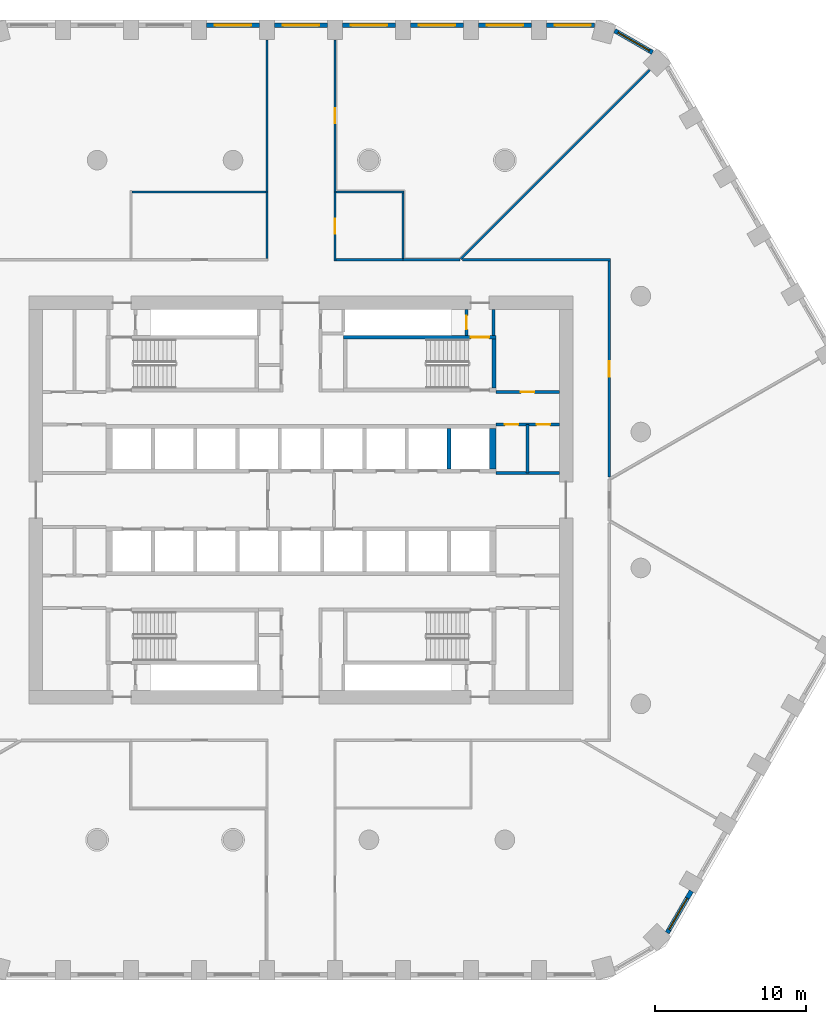
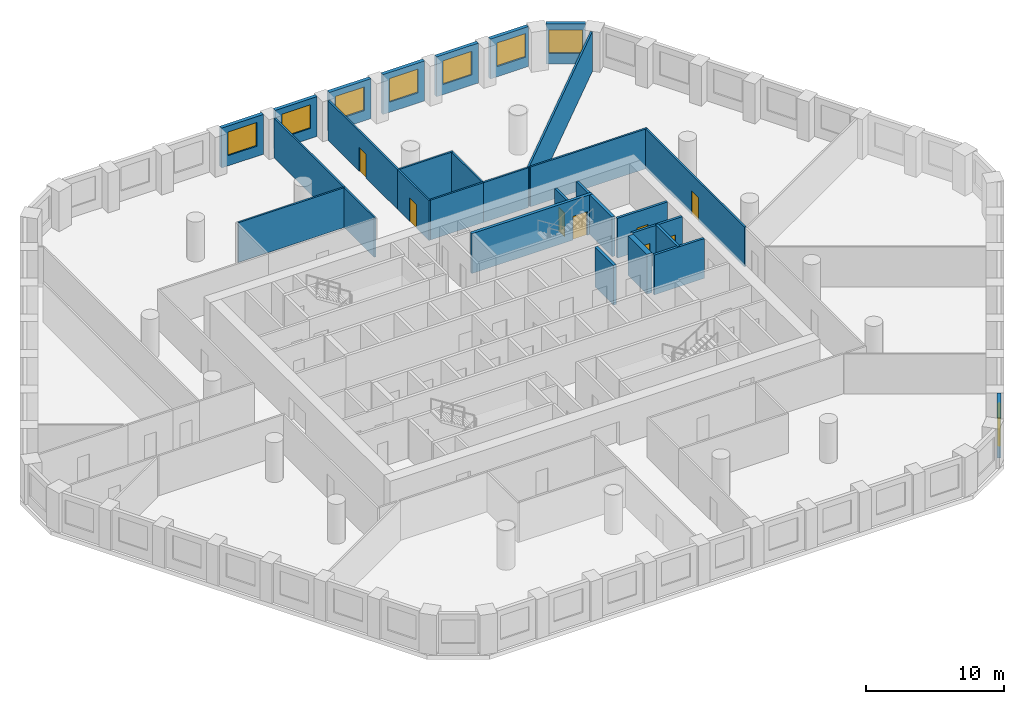
# One storey, part 7 of 14: 30 walls, 8 doors, 8 windows, 16 openings.
"""IFC4 building model written with IfcOpenShell, lengths in metres."""

import ifcopenshell
import ifcopenshell.guid

model = None  # the IFC model being written
_history = None  # IfcOwnerHistory: only IFC2X3 demands one
_inside = {}  # id of a spatial element -> (the spatial element, [elements in it])
_under = {}  # id of a project, library or spatial element -> (it, [spatial elements below it])
_declared = {}  # id of a project -> (the project, [libraries it declares])
_typed = {}  # id of a type object -> (the type object, [elements of that type])
_made_of = {}  # id of a material, layer set ... -> (it, [elements and type objects made of it])


def new_model(schema):
    """Start an empty IFC model of exactly this schema.

    Asked for "IFC4X3", IfcOpenShell would pick the latest addendum, in which some entities
    have other attributes; the version numbers below select the first issue.
    IFC2X3 requires an IfcOwnerHistory on every rooted entity: one is made here for all.
    """
    global model, _history
    if schema == "IFC4X3":
        model = ifcopenshell.file(schema_version=(4, 3, 0, 0))
    else:
        model = ifcopenshell.file(schema=schema)
    _inside.clear()
    _under.clear()
    _declared.clear()
    _typed.clear()
    _made_of.clear()
    _history = None
    if model.schema == "IFC2X3":
        org = make("IfcOrganization", Name="unknown")
        user = make(
            "IfcPersonAndOrganization",
            ThePerson=make("IfcPerson", FamilyName="unknown"),
            TheOrganization=org,
        )
        app = make(
            "IfcApplication",
            ApplicationDeveloper=org,
            Version="unknown",
            ApplicationFullName="unknown",
            ApplicationIdentifier="unknown",
        )
        _history = make(
            "IfcOwnerHistory",
            OwningUser=user,
            OwningApplication=app,
            ChangeAction="ADDED",
            CreationDate=0,
        )
    return model


def make(cls, **values):
    """One entity of the class cls with the attributes given. An attribute that is None is left unset."""
    return model.create_entity(
        cls, **{name: value for name, value in values.items() if value is not None}
    )


def rooted(cls, **values):
    """An entity with a GlobalId (a new one), such as an element, a storey or a relation."""
    return make(cls, GlobalId=ifcopenshell.guid.new(), OwnerHistory=_history, **values)


def si_unit(unit_type, name, prefix=None):
    """IfcSIUnit, for example si_unit("LENGTHUNIT", "METRE", prefix="MILLI")."""
    return make("IfcSIUnit", UnitType=unit_type, Prefix=prefix, Name=name)


def assignment(units):
    """IfcUnitAssignment: the units of a project."""
    return None if units is None else make("IfcUnitAssignment", Units=units)


def point(xyz):
    """IfcCartesianPoint."""
    return None if xyz is None else make("IfcCartesianPoint", Coordinates=xyz)


def direction(xyz):
    """IfcDirection."""
    return None if xyz is None else make("IfcDirection", DirectionRatios=xyz)


def frame(location, z_axis=None, x_axis=None):
    """IfcAxis2Placement3D, a coordinate frame: its origin and axes. An axis left out is left unset."""
    return make(
        "IfcAxis2Placement3D",
        Location=point(location),
        Axis=direction(z_axis),
        RefDirection=direction(x_axis),
    )


def frame_2d(location, x_axis=None):
    """IfcAxis2Placement2D, a coordinate frame in the plane: its origin and x axis."""
    return make(
        "IfcAxis2Placement2D", Location=point(location), RefDirection=direction(x_axis)
    )


def origin():
    """The frame at (0, 0, 0) with its axes left unset."""
    return frame((0.0, 0.0, 0.0))


def place(relative_to, where):
    """IfcLocalPlacement: puts the frame where relative to a parent placement (None: the world)."""
    return make(
        "IfcLocalPlacement", PlacementRelTo=relative_to, RelativePlacement=where
    )


def context(
    kind, dimensions, precision=None, world=None, true_north=None, identifier=None
):
    """IfcGeometricRepresentationContext, for example the 3D "Model" context."""
    return make(
        "IfcGeometricRepresentationContext",
        ContextIdentifier=identifier,
        ContextType=kind,
        CoordinateSpaceDimension=dimensions,
        Precision=precision,
        WorldCoordinateSystem=world,
        TrueNorth=true_north,
    )


def subcontext(parent, identifier, kind, view, scale=None):
    """IfcGeometricRepresentationSubContext, for example "Body" below "Model"."""
    return make(
        "IfcGeometricRepresentationSubContext",
        ContextIdentifier=identifier,
        ContextType=kind,
        ParentContext=parent,
        TargetScale=scale,
        TargetView=view,
    )


def project(units=None, contexts=None):
    """IfcProject with its units and contexts."""
    return rooted(
        "IfcProject",
        Name="project",
        RepresentationContexts=contexts,
        UnitsInContext=assignment(units),
    )


def spatial(cls, under=None, at=None, **own):
    """A site, building, storey or space (cls), placed at a placement, below another one or the project."""
    s = rooted(cls, ObjectPlacement=at, **own)
    if under is not None:
        _under.setdefault(under.id(), (under, []))[1].append(s)
    return s


def polyline(points):
    """IfcPolyline through the points."""
    return make("IfcPolyline", Points=[point(p) for p in points])


def profile(cls, at=None, kind="AREA", **sizes):
    """A parametric profile (cls). Its sizes go by their IFC names, for example OverallWidth=200.0."""
    return make(cls, ProfileType=kind, Position=at, **sizes)


def rectangle(**sizes):
    """IfcRectangleProfileDef."""
    return profile("IfcRectangleProfileDef", **sizes)


def outline(outer, holes=None, kind="AREA"):
    """IfcArbitraryClosedProfileDef: a profile drawn as a closed curve; with holes, ...WithVoids."""
    if holes is None:
        return make("IfcArbitraryClosedProfileDef", ProfileType=kind, OuterCurve=outer)
    return make(
        "IfcArbitraryProfileDefWithVoids",
        ProfileType=kind,
        OuterCurve=outer,
        InnerCurves=holes,
    )


def extrude(swept, where, along, depth):
    """IfcExtrudedAreaSolid: the profile swept, set in the frame where, extruded along a direction by depth."""
    return make(
        "IfcExtrudedAreaSolid",
        SweptArea=swept,
        Position=where,
        ExtrudedDirection=direction(along),
        Depth=depth,
    )


def shape(context_of_items, identifier, shape_type, items):
    """IfcShapeRepresentation: the items that make up one representation, for example the "Body"."""
    return make(
        "IfcShapeRepresentation",
        ContextOfItems=context_of_items,
        RepresentationIdentifier=identifier,
        RepresentationType=shape_type,
        Items=items,
    )


def material(Name=None, Category=None):
    """IfcMaterial."""
    return make("IfcMaterial", Name=Name, Category=Category)


def layer(
    of_material, thickness, ventilated=None, Name=None, Category=None, Priority=None
):
    """IfcMaterialLayer: one layer of a wall or slab, of a material (None: an air gap)."""
    return make(
        "IfcMaterialLayer",
        Material=of_material,
        LayerThickness=thickness,
        IsVentilated=ventilated,
        Name=Name,
        Category=Category,
        Priority=Priority,
    )


def layer_set(layers, Name=None):
    """IfcMaterialLayerSet."""
    return make("IfcMaterialLayerSet", MaterialLayers=layers, LayerSetName=Name)


def made_of(thing, what):
    """Note that an element or type object is made of a material, layer set ...; save() writes the relation."""
    if what is not None:
        _made_of.setdefault(what.id(), (what, []))[1].append(thing)
    return thing


def type_object(cls, material=None, **own):
    """A type object (cls), such as IfcWallType, which elements share."""
    return made_of(rooted(cls, **own), material)


def element(
    cls,
    number,
    at=None,
    inside=None,
    cuts=None,
    type_object=None,
    material=None,
    context=None,
    identifier="Body",
    shape_type=None,
    held_by="IfcProductDefinitionShape",
    body=None,
    shapes=None,
    **own,
):
    """One element of the class cls, such as IfcWall. Its Tag is "e" and its number.

    at: its placement. inside: the storey or other place that contains it. cuts: it is an
    opening in that element (IfcRelVoidsElement). A single representation is given by context,
    identifier, shape_type and body (its items); several are given by shapes. held_by: the class
    of the entity that holds the representations. save() writes the other relations.
    """
    e = rooted(cls, Tag="e%d" % number, ObjectPlacement=at, **own)
    if body is not None:
        shapes = [shape(context, identifier, shape_type, body)]
    if shapes is not None:
        e.Representation = make(held_by, Representations=shapes)
    if inside is not None:
        _inside.setdefault(inside.id(), (inside, []))[1].append(e)
    if cuts is not None:
        rooted(
            "IfcRelVoidsElement", RelatingBuildingElement=cuts, RelatedOpeningElement=e
        )
    if type_object is not None:
        _typed.setdefault(type_object.id(), (type_object, []))[1].append(e)
    return made_of(e, material)


def fill(opening, filler):
    """IfcRelFillsElement: the door or window that sits in an opening."""
    return rooted(
        "IfcRelFillsElement",
        RelatingOpeningElement=opening,
        RelatedBuildingElement=filler,
    )


def aggregate(whole, parts):
    """IfcRelAggregates: a whole, such as a stair, and the parts it consists of."""
    return rooted("IfcRelAggregates", RelatingObject=whole, RelatedObjects=parts)


def save(model, path):
    """Write the relations noted so far, then the file.

    IfcRelAggregates (storeys below a building ...), IfcRelContainedInSpatialStructure (elements
    in a storey), IfcRelDefinesByType, IfcRelAssociatesMaterial and IfcRelDeclares: one each for
    every whole, place, type object, material and project.
    """
    for whole, parts in _under.values():
        aggregate(whole, parts)
    for where, things in _inside.values():
        rooted(
            "IfcRelContainedInSpatialStructure",
            RelatedElements=things,
            RelatingStructure=where,
        )
    for kind, things in _typed.values():
        rooted("IfcRelDefinesByType", RelatedObjects=things, RelatingType=kind)
    for what, things in _made_of.values():
        rooted("IfcRelAssociatesMaterial", RelatedObjects=things, RelatingMaterial=what)
    for by, libraries in _declared.values():
        rooted("IfcRelDeclares", RelatingContext=by, RelatedDefinitions=libraries)
    model.write(path)


model = new_model("IFC4")

# Units and contexts
model_context = context("Model", 3, precision=1e-05, world=origin(), true_north=direction((0.0, 1.0)))
body_context = subcontext(model_context, "Body", "Model", "MODEL_VIEW")
ifc_project = project(units=[si_unit("LENGTHUNIT", "METRE"), si_unit("AREAUNIT", "SQUARE_METRE"), si_unit("VOLUMEUNIT", "CUBIC_METRE"), si_unit("PLANEANGLEUNIT", "RADIAN"), si_unit("MASSUNIT", "GRAM", prefix="KILO")], contexts=[model_context])

# Site, building, storey
site_placement = place(None, origin())
site = spatial("IfcSite", under=ifc_project, at=site_placement, CompositionType="ELEMENT")
building_placement = place(site_placement, origin())
building = spatial("IfcBuilding", under=site, at=building_placement, Name="Dhurran Vertical Campus", CompositionType="ELEMENT")
storey_placement = place(building_placement, frame((0.0, 0.0, 93.0)))
storey = spatial("IfcBuildingStorey", under=building, at=storey_placement, Name="L22", CompositionType="ELEMENT", Elevation=93.0)

# Wall, opening, window
ifc_material_1 = material(Name="Precast concrete C50/60", Category="concrete")
ifc_layer_1 = layer(ifc_material_1, 0.300048828125)
ifc_layer_set_1 = layer_set([ifc_layer_1], Name="Precast concrete C50/60")
wall_type_1 = type_object("IfcWallType", Name="Precast spandrel wall 300", PredefinedType="SOLIDWALL", material=ifc_layer_set_1)
wall_1_placement = place(storey_placement, frame((24.24755859375, -28.65576171875, 0.0), z_axis=(0.0, 0.0, 1.0), x_axis=(0.500004907028, 0.866022570692, 0.0)))
wall_1 = element("IfcWall", 1, at=wall_1_placement, inside=storey, type_object=wall_type_1, Name="EW1 L22.10", PredefinedType="SOLIDWALL", context=body_context, shape_type="SweptSolid", body=[
    extrude(rectangle(XDim=3.1923828125, YDim=0.300048828125, at=frame_2d((1.59619140625, 0.0))), origin(), (0.0, 0.0, 1.0), 3.52490234375),
])
opening_1_placement = place(wall_1_placement, frame((0.242919921875, 0.0, 0.89990234375)))
opening_1 = element("IfcOpeningElement", 2, at=opening_1_placement, cuts=wall_1, Name="Opening WT1", PredefinedType="OPENING", context=body_context, shape_type="SweptSolid", body=[
    extrude(rectangle(XDim=2.39990234375, YDim=2.10009765625, at=frame_2d((1.199951171875, 1.050048828125))), frame((0.0, 0.159912109375, 0.0), z_axis=(0.0, -1.0, 0.0), x_axis=(1.0, 0.0, 0.0)), (0.0, 0.0, 1.0), 0.320068359375),
])
ifc_material_2 = material(Name="Aluminium frame with solar-control glass", Category="aluminium")
window_type = type_object("IfcWindowType", Name="Punched window 2400 x 2100", PartitioningType="SINGLE_PANEL", PredefinedType="WINDOW", material=ifc_material_2)
window_1_placement = place(opening_1_placement, origin())
window_1 = element("IfcWindow", 3, at=window_1_placement, inside=storey, type_object=window_type, Name="WT1 L22.10", OverallHeight=2.10009765625, OverallWidth=2.39990234375, PartitioningType="SINGLE_PANEL", PredefinedType="WINDOW", context=body_context, shape_type="SweptSolid", body=[
    extrude(rectangle(XDim=2.39990234375, YDim=2.10009765625, at=frame_2d((1.199951171875, 1.050048828125))), frame((0.0, 0.030029296875, 0.0), z_axis=(0.0, -1.0, 0.0), x_axis=(1.0, 0.0, 0.0)), (0.0, 0.0, 1.0), 0.06005859375),
])
fill(opening_1, window_1)

wall_2_placement = place(storey_placement, frame((23.273193359375, 29.63037109375, 0.0), z_axis=(0.0, 0.0, 1.0), x_axis=(-0.866053149362, 0.49995194017, 0.0)))
wall_2 = element("IfcWall", 4, at=wall_2_placement, inside=storey, type_object=wall_type_1, Name="EW1 L22.25", PredefinedType="SOLIDWALL", context=body_context, shape_type="SweptSolid", body=[
    extrude(rectangle(XDim=2.885498046875, YDim=0.300048828125, at=frame_2d((1.44287109375, 0.0))), origin(), (0.0, 0.0, 1.0), 3.52490234375),
])
opening_2_placement = place(wall_2_placement, frame((0.242919921875, 0.0, 0.89990234375)))
opening_2 = element("IfcOpeningElement", 5, at=opening_2_placement, cuts=wall_2, Name="Opening WT1", PredefinedType="OPENING", context=body_context, shape_type="SweptSolid", body=[
    extrude(rectangle(XDim=2.39990234375, YDim=2.10009765625, at=frame_2d((1.199951171875, 1.050048828125))), frame((0.0, 0.159912109375, 0.0), z_axis=(0.0, -1.0, 0.0), x_axis=(1.0, 0.0, 0.0)), (0.0, 0.0, 1.0), 0.320068359375),
])
window_2_placement = place(opening_2_placement, origin())
window_2 = element("IfcWindow", 6, at=window_2_placement, inside=storey, type_object=window_type, Name="WT1 L22.25", OverallHeight=2.10009765625, OverallWidth=2.39990234375, PartitioningType="SINGLE_PANEL", PredefinedType="WINDOW", context=body_context, shape_type="SweptSolid", body=[
    extrude(rectangle(XDim=2.39990234375, YDim=2.10009765625, at=frame_2d((1.199951171875, 1.050048828125))), frame((0.0, 0.030029296875, 0.0), z_axis=(0.0, -1.0, 0.0), x_axis=(1.0, 0.0, 0.0)), (0.0, 0.0, 1.0), 0.06005859375),
])
fill(opening_2, window_2)

wall_3_placement = place(storey_placement, frame((19.44287109375, 31.4296875, 0.0), z_axis=(0.0, 0.0, 1.0), x_axis=(-1.0, 0.0, 0.0)))
wall_3 = element("IfcWall", 7, at=wall_3_placement, inside=storey, type_object=wall_type_1, Name="EW1 L22.26", PredefinedType="SOLIDWALL", context=body_context, shape_type="SweptSolid", body=[
    extrude(rectangle(XDim=3.1923828125, YDim=0.300048828125, at=frame_2d((1.59619140625, 0.0))), origin(), (0.0, 0.0, 1.0), 3.52490234375),
])
opening_3_placement = place(wall_3_placement, frame((0.242919921875, 0.0, 0.89990234375)))
opening_3 = element("IfcOpeningElement", 8, at=opening_3_placement, cuts=wall_3, Name="Opening WT1", PredefinedType="OPENING", context=body_context, shape_type="SweptSolid", body=[
    extrude(rectangle(XDim=2.39990234375, YDim=2.10009765625, at=frame_2d((1.199951171875, 1.050048828125))), frame((0.0, 0.159912109375, 0.0), z_axis=(0.0, -1.0, 0.0), x_axis=(1.0, 0.0, 0.0)), (0.0, 0.0, 1.0), 0.320068359375),
])
window_3_placement = place(opening_3_placement, origin())
window_3 = element("IfcWindow", 9, at=window_3_placement, inside=storey, type_object=window_type, Name="WT1 L22.26", OverallHeight=2.10009765625, OverallWidth=2.39990234375, PartitioningType="SINGLE_PANEL", PredefinedType="WINDOW", context=body_context, shape_type="SweptSolid", body=[
    extrude(rectangle(XDim=2.39990234375, YDim=2.10009765625, at=frame_2d((1.199951171875, 1.050048828125))), frame((0.0, 0.030029296875, 0.0), z_axis=(0.0, -1.0, 0.0), x_axis=(1.0, 0.0, 0.0)), (0.0, 0.0, 1.0), 0.06005859375),
])
fill(opening_3, window_3)

wall_4_placement = place(storey_placement, frame((15.24951171875, 31.4296875, 0.0), z_axis=(0.0, 0.0, 1.0), x_axis=(-1.0, 0.0, 0.0)))
wall_4 = element("IfcWall", 10, at=wall_4_placement, inside=storey, type_object=wall_type_1, Name="EW1 L22.27", PredefinedType="SOLIDWALL", context=body_context, shape_type="SweptSolid", body=[
    extrude(rectangle(XDim=3.4990234375, YDim=0.300048828125, at=frame_2d((1.74951171875, 0.0))), origin(), (0.0, 0.0, 1.0), 3.52490234375),
])
opening_4_placement = place(wall_4_placement, frame((0.549560546875, 0.0, 0.89990234375)))
opening_4 = element("IfcOpeningElement", 11, at=opening_4_placement, cuts=wall_4, Name="Opening WT1", PredefinedType="OPENING", context=body_context, shape_type="SweptSolid", body=[
    extrude(rectangle(XDim=2.39990234375, YDim=2.10009765625, at=frame_2d((1.199951171875, 1.050048828125))), frame((0.0, 0.159912109375, 0.0), z_axis=(0.0, -1.0, 0.0), x_axis=(1.0, 0.0, 0.0)), (0.0, 0.0, 1.0), 0.320068359375),
])
window_4_placement = place(opening_4_placement, origin())
window_4 = element("IfcWindow", 12, at=window_4_placement, inside=storey, type_object=window_type, Name="WT1 L22.27", OverallHeight=2.10009765625, OverallWidth=2.39990234375, PartitioningType="SINGLE_PANEL", PredefinedType="WINDOW", context=body_context, shape_type="SweptSolid", body=[
    extrude(rectangle(XDim=2.39990234375, YDim=2.10009765625, at=frame_2d((1.199951171875, 1.050048828125))), frame((0.0, 0.030029296875, 0.0), z_axis=(0.0, -1.0, 0.0), x_axis=(1.0, 0.0, 0.0)), (0.0, 0.0, 1.0), 0.06005859375),
])
fill(opening_4, window_4)

wall_5_placement = place(storey_placement, frame((10.74951171875, 31.4296875, 0.0), z_axis=(0.0, 0.0, 1.0), x_axis=(-1.0, 0.0, 0.0)))
wall_5 = element("IfcWall", 13, at=wall_5_placement, inside=storey, type_object=wall_type_1, Name="EW1 L22.28", PredefinedType="SOLIDWALL", context=body_context, shape_type="SweptSolid", body=[
    extrude(rectangle(XDim=3.4990234375, YDim=0.300048828125, at=frame_2d((1.74951171875, 0.0))), origin(), (0.0, 0.0, 1.0), 3.52490234375),
])
opening_5_placement = place(wall_5_placement, frame((0.549560546875, 0.0, 0.89990234375)))
opening_5 = element("IfcOpeningElement", 14, at=opening_5_placement, cuts=wall_5, Name="Opening WT1", PredefinedType="OPENING", context=body_context, shape_type="SweptSolid", body=[
    extrude(rectangle(XDim=2.39990234375, YDim=2.10009765625, at=frame_2d((1.199951171875, 1.050048828125))), frame((0.0, 0.159912109375, 0.0), z_axis=(0.0, -1.0, 0.0), x_axis=(1.0, 0.0, 0.0)), (0.0, 0.0, 1.0), 0.320068359375),
])
window_5_placement = place(opening_5_placement, origin())
window_5 = element("IfcWindow", 15, at=window_5_placement, inside=storey, type_object=window_type, Name="WT1 L22.28", OverallHeight=2.10009765625, OverallWidth=2.39990234375, PartitioningType="SINGLE_PANEL", PredefinedType="WINDOW", context=body_context, shape_type="SweptSolid", body=[
    extrude(rectangle(XDim=2.39990234375, YDim=2.10009765625, at=frame_2d((1.199951171875, 1.050048828125))), frame((0.0, 0.030029296875, 0.0), z_axis=(0.0, -1.0, 0.0), x_axis=(1.0, 0.0, 0.0)), (0.0, 0.0, 1.0), 0.06005859375),
])
fill(opening_5, window_5)

wall_6_placement = place(storey_placement, frame((6.24951171875, 31.4296875, 0.0), z_axis=(0.0, 0.0, 1.0), x_axis=(-1.0, 0.0, 0.0)))
wall_6 = element("IfcWall", 16, at=wall_6_placement, inside=storey, type_object=wall_type_1, Name="EW1 L22.29", PredefinedType="SOLIDWALL", context=body_context, shape_type="SweptSolid", body=[
    extrude(rectangle(XDim=3.4990234375, YDim=0.300048828125, at=frame_2d((1.74951171875, 0.0))), origin(), (0.0, 0.0, 1.0), 3.52490234375),
])
opening_6_placement = place(wall_6_placement, frame((0.549560546875, 0.0, 0.89990234375)))
opening_6 = element("IfcOpeningElement", 17, at=opening_6_placement, cuts=wall_6, Name="Opening WT1", PredefinedType="OPENING", context=body_context, shape_type="SweptSolid", body=[
    extrude(rectangle(XDim=2.39990234375, YDim=2.10009765625, at=frame_2d((1.199951171875, 1.050048828125))), frame((0.0, 0.159912109375, 0.0), z_axis=(0.0, -1.0, 0.0), x_axis=(1.0, 0.0, 0.0)), (0.0, 0.0, 1.0), 0.320068359375),
])
window_6_placement = place(opening_6_placement, origin())
window_6 = element("IfcWindow", 18, at=window_6_placement, inside=storey, type_object=window_type, Name="WT1 L22.29", OverallHeight=2.10009765625, OverallWidth=2.39990234375, PartitioningType="SINGLE_PANEL", PredefinedType="WINDOW", context=body_context, shape_type="SweptSolid", body=[
    extrude(rectangle(XDim=2.39990234375, YDim=2.10009765625, at=frame_2d((1.199951171875, 1.050048828125))), frame((0.0, 0.030029296875, 0.0), z_axis=(0.0, -1.0, 0.0), x_axis=(1.0, 0.0, 0.0)), (0.0, 0.0, 1.0), 0.06005859375),
])
fill(opening_6, window_6)

wall_7_placement = place(storey_placement, frame((1.74951171875, 31.4296875, 0.0), z_axis=(0.0, 0.0, 1.0), x_axis=(-1.0, 0.0, 0.0)))
wall_7 = element("IfcWall", 19, at=wall_7_placement, inside=storey, type_object=wall_type_1, Name="EW1 L22.30", PredefinedType="SOLIDWALL", context=body_context, shape_type="SweptSolid", body=[
    extrude(rectangle(XDim=3.4990234375, YDim=0.300048828125, at=frame_2d((1.74951171875, 0.0))), origin(), (0.0, 0.0, 1.0), 3.52490234375),
])
opening_7_placement = place(wall_7_placement, frame((0.549560546875, 0.0, 0.89990234375)))
opening_7 = element("IfcOpeningElement", 20, at=opening_7_placement, cuts=wall_7, Name="Opening WT1", PredefinedType="OPENING", context=body_context, shape_type="SweptSolid", body=[
    extrude(rectangle(XDim=2.39990234375, YDim=2.10009765625, at=frame_2d((1.199951171875, 1.050048828125))), frame((0.0, 0.159912109375, 0.0), z_axis=(0.0, -1.0, 0.0), x_axis=(1.0, 0.0, 0.0)), (0.0, 0.0, 1.0), 0.320068359375),
])
window_7_placement = place(opening_7_placement, origin())
window_7 = element("IfcWindow", 21, at=window_7_placement, inside=storey, type_object=window_type, Name="WT1 L22.30", OverallHeight=2.10009765625, OverallWidth=2.39990234375, PartitioningType="SINGLE_PANEL", PredefinedType="WINDOW", context=body_context, shape_type="SweptSolid", body=[
    extrude(rectangle(XDim=2.39990234375, YDim=2.10009765625, at=frame_2d((1.199951171875, 1.050048828125))), frame((0.0, 0.030029296875, 0.0), z_axis=(0.0, -1.0, 0.0), x_axis=(1.0, 0.0, 0.0)), (0.0, 0.0, 1.0), 0.06005859375),
])
fill(opening_7, window_7)

wall_8_placement = place(storey_placement, frame((-2.75048828125, 31.4296875, 0.0), z_axis=(0.0, 0.0, 1.0), x_axis=(-1.0, 0.0, 0.0)))
wall_8 = element("IfcWall", 22, at=wall_8_placement, inside=storey, type_object=wall_type_1, Name="EW1 L22.31", PredefinedType="SOLIDWALL", context=body_context, shape_type="SweptSolid", body=[
    extrude(rectangle(XDim=3.4990234375, YDim=0.300048828125, at=frame_2d((1.74951171875, 0.0))), origin(), (0.0, 0.0, 1.0), 3.52490234375),
])
opening_8_placement = place(wall_8_placement, frame((0.549560546875, 0.0, 0.89990234375)))
opening_8 = element("IfcOpeningElement", 23, at=opening_8_placement, cuts=wall_8, Name="Opening WT1", PredefinedType="OPENING", context=body_context, shape_type="SweptSolid", body=[
    extrude(rectangle(XDim=2.39990234375, YDim=2.10009765625, at=frame_2d((1.199951171875, 1.050048828125))), frame((0.0, 0.159912109375, 0.0), z_axis=(0.0, -1.0, 0.0), x_axis=(1.0, 0.0, 0.0)), (0.0, 0.0, 1.0), 0.320068359375),
])
window_8_placement = place(opening_8_placement, origin())
window_8 = element("IfcWindow", 24, at=window_8_placement, inside=storey, type_object=window_type, Name="WT1 L22.31", OverallHeight=2.10009765625, OverallWidth=2.39990234375, PartitioningType="SINGLE_PANEL", PredefinedType="WINDOW", context=body_context, shape_type="SweptSolid", body=[
    extrude(rectangle(XDim=2.39990234375, YDim=2.10009765625, at=frame_2d((1.199951171875, 1.050048828125))), frame((0.0, 0.030029296875, 0.0), z_axis=(0.0, -1.0, 0.0), x_axis=(1.0, 0.0, 0.0)), (0.0, 0.0, 1.0), 0.06005859375),
])
fill(opening_8, window_8)

# Wall
ifc_material_3 = material(Name="Fire-rated masonry blockwork", Category="masonry")
ifc_layer_2 = layer(ifc_material_3, 0.199951171875)
ifc_layer_set_2 = layer_set([ifc_layer_2], Name="Fire-rated masonry blockwork")
wall_type_2 = type_object("IfcWallType", Name="co-FIRE-PARTITION-200", PredefinedType="PARTITIONING", material=ifc_layer_set_2)
wall_9_placement = place(storey_placement, frame((12.75, 10.89990234375, 0.0), z_axis=(0.0, 0.0, 1.0), x_axis=(0.0, 1.0, 0.0)))
element("IfcWall", 25, at=wall_9_placement, inside=storey, type_object=wall_type_2, Name="Core partition pass-ST2-o L22", PredefinedType="PARTITIONING", context=body_context, shape_type="SweptSolid", body=[
    extrude(rectangle(XDim=1.7001953125, YDim=0.199951171875, at=frame_2d((0.85009765625, 0.0))), origin(), (0.0, 0.0, 1.0), 3.52490234375),
])

# Wall, opening, door
wall_10_placement = place(storey_placement, frame((10.949951171875, 10.89990234375, 0.0), z_axis=(0.0, 0.0, 1.0), x_axis=(0.0, 1.0, 0.0)))
wall_10 = element("IfcWall", 26, at=wall_10_placement, inside=storey, type_object=wall_type_2, Name="Core partition pass-ST2-i L22", PredefinedType="PARTITIONING", context=body_context, shape_type="SweptSolid", body=[
    extrude(rectangle(XDim=1.7001953125, YDim=0.199951171875, at=frame_2d((0.85009765625, 0.0))), origin(), (0.0, 0.0, 1.0), 3.52490234375),
])
opening_9_placement = place(wall_10_placement, frame((0.39990234375, 0.0, 0.0)))
opening_9 = element("IfcOpeningElement", 27, at=opening_9_placement, cuts=wall_10, Name="Opening T06-C9", PredefinedType="OPENING", context=body_context, shape_type="SweptSolid", body=[
    extrude(rectangle(XDim=0.89990234375, YDim=2.10009765625, at=frame_2d((0.449951171875, 1.050048828125))), frame((0.0, 0.10986328125, 0.0), z_axis=(0.0, -1.0, 0.0), x_axis=(1.0, 0.0, 0.0)), (0.0, 0.0, 1.0), 0.219970703125),
])
ifc_material_4 = material(Name="Fire-rated timber door set", Category="wood")
door_type_1 = type_object("IfcDoorType", Name="co-D-ROOM 900x2100", OperationType="SINGLE_SWING_LEFT", PredefinedType="DOOR", material=ifc_material_4)
door_1_placement = place(opening_9_placement, origin())
door_1 = element("IfcDoor", 28, at=door_1_placement, inside=storey, type_object=door_type_1, Name="Riser room door L22", OperationType="SINGLE_SWING_LEFT", OverallHeight=2.10009765625, OverallWidth=0.89990234375, PredefinedType="DOOR", context=body_context, shape_type="SweptSolid", body=[
    extrude(rectangle(XDim=0.89990234375, YDim=2.10009765625, at=frame_2d((0.449951171875, 1.050048828125))), frame((0.0, 0.02490234375, 0.0), z_axis=(0.0, -1.0, 0.0), x_axis=(1.0, 0.0, 0.0)), (0.0, 0.0, 1.0), 0.050048828125),
])
fill(opening_9, door_1)

wall_11_placement = place(storey_placement, frame((12.89990234375, 7.14990234375, 0.0), z_axis=(0.0, 0.0, 1.0), x_axis=(1.0, 0.0, 0.0)))
wall_11 = element("IfcWall", 29, at=wall_11_placement, inside=storey, type_object=wall_type_2, Name="Core partition en-NE-w L22", PredefinedType="PARTITIONING", context=body_context, shape_type="SweptSolid", body=[
    extrude(rectangle(XDim=4.2001953125, YDim=0.199951171875, at=frame_2d((2.10009765625, 0.0))), origin(), (0.0, 0.0, 1.0), 3.52490234375),
])
opening_10_placement = place(wall_11_placement, frame((1.64990234375, 0.0, 0.0)))
opening_10 = element("IfcOpeningElement", 30, at=opening_10_placement, cuts=wall_11, Name="Opening T06-C15", PredefinedType="OPENING", context=body_context, shape_type="SweptSolid", body=[
    extrude(rectangle(XDim=0.89990234375, YDim=2.10009765625, at=frame_2d((0.449951171875, 1.050048828125))), frame((0.0, 0.10986328125, 0.0), z_axis=(0.0, -1.0, 0.0), x_axis=(1.0, 0.0, 0.0)), (0.0, 0.0, 1.0), 0.219970703125),
])
door_2_placement = place(opening_10_placement, origin())
door_2 = element("IfcDoor", 31, at=door_2_placement, inside=storey, type_object=door_type_1, Name="Server room door L22", OperationType="SINGLE_SWING_LEFT", OverallHeight=2.10009765625, OverallWidth=0.89990234375, PredefinedType="DOOR", context=body_context, shape_type="SweptSolid", body=[
    extrude(rectangle(XDim=0.89990234375, YDim=2.10009765625, at=frame_2d((0.449951171875, 1.050048828125))), frame((0.0, 0.02490234375, 0.0), z_axis=(0.0, -1.0, 0.0), x_axis=(1.0, 0.0, 0.0)), (0.0, 0.0, 1.0), 0.050048828125),
])
fill(opening_10, door_2)

# Wall
wall_12_placement = place(storey_placement, frame((15.0, 1.800048828125, 0.0), z_axis=(0.0, 0.0, 1.0), x_axis=(0.0, 1.0, 0.0)))
element("IfcWall", 32, at=wall_12_placement, inside=storey, type_object=wall_type_2, Name="Core partition es-NE-cut0 L22", PredefinedType="PARTITIONING", context=body_context, shape_type="SweptSolid", body=[
    extrude(rectangle(XDim=3.199951171875, YDim=0.199951171875, at=frame_2d((1.60009765625, 0.0))), origin(), (0.0, 0.0, 1.0), 3.52490234375),
])

# Wall, openings, doors
wall_13_placement = place(storey_placement, frame((12.89990234375, 5.0, 0.0), z_axis=(0.0, 0.0, 1.0), x_axis=(1.0, 0.0, 0.0)))
wall_13 = element("IfcWall", 33, at=wall_13_placement, inside=storey, type_object=wall_type_2, Name="Core partition es-NE-w L22", PredefinedType="PARTITIONING", context=body_context, shape_type="SweptSolid", body=[
    extrude(rectangle(XDim=4.2001953125, YDim=0.199951171875, at=frame_2d((2.10009765625, 0.0))), origin(), (0.0, 0.0, 1.0), 3.52490234375),
])
opening_11_placement = place(wall_13_placement, frame((0.60009765625, 0.0, 0.0)))
opening_11 = element("IfcOpeningElement", 34, at=opening_11_placement, cuts=wall_13, Name="Opening T06-C16", PredefinedType="OPENING", context=body_context, shape_type="SweptSolid", body=[
    extrude(rectangle(XDim=0.89990234375, YDim=2.10009765625, at=frame_2d((0.449951171875, 1.050048828125))), frame((0.0, 0.10986328125, 0.0), z_axis=(0.0, -1.0, 0.0), x_axis=(1.0, 0.0, 0.0)), (0.0, 0.0, 1.0), 0.219970703125),
])
opening_12_placement = place(wall_13_placement, frame((2.699951171875, 0.0, 0.0)))
opening_12 = element("IfcOpeningElement", 35, at=opening_12_placement, cuts=wall_13, Name="Opening T06-C17", PredefinedType="OPENING", context=body_context, shape_type="SweptSolid", body=[
    extrude(rectangle(XDim=0.89990234375, YDim=2.10009765625, at=frame_2d((0.449951171875, 1.050048828125))), frame((0.0, 0.10986328125, 0.0), z_axis=(0.0, -1.0, 0.0), x_axis=(1.0, 0.0, 0.0)), (0.0, 0.0, 1.0), 0.219970703125),
])
door_3_placement = place(opening_11_placement, origin())
door_3 = element("IfcDoor", 36, at=door_3_placement, inside=storey, type_object=door_type_1, Name="Electrical riser door L22", OperationType="SINGLE_SWING_LEFT", OverallHeight=2.10009765625, OverallWidth=0.89990234375, PredefinedType="DOOR", context=body_context, shape_type="SweptSolid", body=[
    extrude(rectangle(XDim=0.89990234375, YDim=2.10009765625, at=frame_2d((0.449951171875, 1.050048828125))), frame((0.0, 0.02490234375, 0.0), z_axis=(0.0, -1.0, 0.0), x_axis=(1.0, 0.0, 0.0)), (0.0, 0.0, 1.0), 0.050048828125),
])
fill(opening_11, door_3)
door_4_placement = place(opening_12_placement, origin())
door_4 = element("IfcDoor", 37, at=door_4_placement, inside=storey, type_object=door_type_1, Name="Waste room door L22", OperationType="SINGLE_SWING_LEFT", OverallHeight=2.10009765625, OverallWidth=0.89990234375, PredefinedType="DOOR", context=body_context, shape_type="SweptSolid", body=[
    extrude(rectangle(XDim=0.89990234375, YDim=2.10009765625, at=frame_2d((0.449951171875, 1.050048828125))), frame((0.0, 0.02490234375, 0.0), z_axis=(0.0, -1.0, 0.0), x_axis=(1.0, 0.0, 0.0)), (0.0, 0.0, 1.0), 0.050048828125),
])
fill(opening_12, door_4)

# Walls
wall_14_placement = place(storey_placement, frame((12.89990234375, 1.800048828125, 0.0), z_axis=(0.0, 0.0, 1.0), x_axis=(1.0, 0.0, 0.0)))
element("IfcWall", 38, at=wall_14_placement, inside=storey, type_object=wall_type_2, Name="Core partition es-NE-l L22", PredefinedType="PARTITIONING", context=body_context, shape_type="SweptSolid", body=[
    extrude(rectangle(XDim=4.2001953125, YDim=0.199951171875, at=frame_2d((2.10009765625, 0.0))), origin(), (0.0, 0.0, 1.0), 3.52490234375),
])
ifc_material_5 = material(Name="Concrete C50/60", Category="concrete")
ifc_layer_3 = layer(ifc_material_5, 0.25)
ifc_layer_set_3 = layer_set([ifc_layer_3], Name="Concrete C50/60")
wall_type_3 = type_object("IfcWallType", Name="co-SHAFT-MASS-250", PredefinedType="SHEAR", material=ifc_layer_set_3)
wall_15_placement = place(storey_placement, origin())
element("IfcWall", 39, at=wall_15_placement, inside=storey, type_object=wall_type_3, Name="Lift shaft wall N L22 10", PredefinedType="SHEAR", context=body_context, shape_type="SweptSolid", body=[
    extrude(outline(polyline([(9.675048828125, 2.050048828125), (9.925048828125, 2.050048828125), (9.925048828125, 4.75), (9.675048828125, 4.75), (9.675048828125, 2.050048828125)])), origin(), (0.0, 0.0, 1.0), 3.52490234375),
])
wall_16_placement = place(storey_placement, origin())
element("IfcWall", 40, at=wall_16_placement, inside=storey, type_object=wall_type_3, Name="Lift shaft wall N L22 11", PredefinedType="SHEAR", context=body_context, shape_type="SweptSolid", body=[
    extrude(outline(polyline([(12.47509765625, 2.050048828125), (12.89990234375, 2.050048828125), (12.89990234375, 4.75), (12.47509765625, 4.75), (12.47509765625, 2.050048828125)])), origin(), (0.0, 0.0, 1.0), 3.52490234375),
])

# Wall, opening, door
ifc_material_6 = material(Name="Concrete C40/50", Category="concrete")
ifc_layer_4 = layer(ifc_material_6, 0.25)
ifc_layer_set_4 = layer_set([ifc_layer_4], Name="Concrete C40/50")
wall_type_4 = type_object("IfcWallType", Name="co-STAIR-WALL-250", PredefinedType="SHEAR", material=ifc_layer_set_4)
wall_17_placement = place(storey_placement, frame((2.800048828125, 10.77490234375, 0.0), z_axis=(0.0, 0.0, 1.0), x_axis=(1.0, 0.0, 0.0)))
wall_17 = element("IfcWall", 41, at=wall_17_placement, inside=storey, type_object=wall_type_4, Name="Stair ST2 enclosure wall L22", PredefinedType="SHEAR", context=body_context, shape_type="SweptSolid", body=[
    extrude(rectangle(XDim=10.099853515625, YDim=0.25, at=frame_2d((5.0498046875, 0.0))), origin(), (0.0, 0.0, 1.0), 3.52490234375),
])
opening_13_placement = place(wall_17_placement, frame((8.449951171875, 0.0, 0.0)))
opening_13 = element("IfcOpeningElement", 42, at=opening_13_placement, cuts=wall_17, Name="Opening XS2", PredefinedType="OPENING", context=body_context, shape_type="SweptSolid", body=[
    extrude(rectangle(XDim=1.199951171875, YDim=2.10009765625, at=frame_2d((0.60009765625, 1.050048828125))), frame((0.0, 0.135009765625, 0.0), z_axis=(0.0, -1.0, 0.0), x_axis=(1.0, 0.0, 0.0)), (0.0, 0.0, 1.0), 0.27001953125),
])
ifc_material_7 = material(Name="Fire-rated steel door set", Category="steel")
door_type_2 = type_object("IfcDoorType", Name="co-D-STAIR-EXIT 1200x2100", OperationType="SINGLE_SWING_RIGHT", PredefinedType="DOOR", material=ifc_material_7)
door_5_placement = place(opening_13_placement, origin())
door_5 = element("IfcDoor", 43, at=door_5_placement, inside=storey, type_object=door_type_2, Name="Stair ST2 discharge door L22", OperationType="SINGLE_SWING_RIGHT", OverallHeight=2.10009765625, OverallWidth=1.199951171875, PredefinedType="DOOR", context=body_context, shape_type="SweptSolid", body=[
    extrude(rectangle(XDim=1.199951171875, YDim=2.10009765625, at=frame_2d((0.60009765625, 1.050048828125))), frame((0.0, 0.02490234375, 0.0), z_axis=(0.0, -1.0, 0.0), x_axis=(1.0, 0.0, 0.0)), (0.0, 0.0, 1.0), 0.050048828125),
])
fill(opening_13, door_5)

# Walls
wall_18_placement = place(storey_placement, frame((12.77490234375, 7.39990234375, 0.0), z_axis=(0.0, 0.0, 1.0), x_axis=(0.0, 1.0, 0.0)))
element("IfcWall", 44, at=wall_18_placement, inside=storey, type_object=wall_type_4, Name="Stair ST2 enclosure wall L22", PredefinedType="SHEAR", context=body_context, shape_type="SweptSolid", body=[
    extrude(rectangle(XDim=3.25, YDim=0.25, at=frame_2d((1.625, 0.0))), origin(), (0.0, 0.0, 1.0), 3.52490234375),
])
ifc_material_8 = material(Name="Gypsum board corridor wall on steel studs", Category="steel")
ifc_layer_5 = layer(ifc_material_8, 0.14990234375)
ifc_layer_set_5 = layer_set([ifc_layer_5], Name="Gypsum board corridor wall on steel studs")
wall_type_5 = type_object("IfcWallType", Name="fl-CW-150 corridor wall", PredefinedType="PARTITIONING", material=ifc_layer_set_5)
wall_19_placement = place(storey_placement, frame((-2.25, 15.97509765625, 0.0), z_axis=(0.0, 0.0, 1.0), x_axis=(0.0, 1.0, 0.0)))
element("IfcWall", 45, at=wall_19_placement, inside=storey, type_object=wall_type_5, Name="Partition 22-26", PredefinedType="PARTITIONING", context=body_context, shape_type="SweptSolid", body=[
    extrude(rectangle(XDim=4.4248046875, YDim=0.14990234375, at=frame_2d((2.21240234375, 0.0))), origin(), (0.0, 0.0, 1.0), 3.52490234375),
])
wall_20_placement = place(storey_placement, frame((-2.25, 20.39990234375, 0.0), z_axis=(0.0, 0.0, 1.0), x_axis=(0.0, 1.0, 0.0)))
element("IfcWall", 46, at=wall_20_placement, inside=storey, type_object=wall_type_5, Name="Partition 22-27", PredefinedType="PARTITIONING", context=body_context, shape_type="SweptSolid", body=[
    extrude(rectangle(XDim=10.059814453125, YDim=0.14990234375, at=frame_2d((5.02978515625, 0.0))), origin(), (0.0, 0.0, 1.0), 3.52490234375),
])

# Wall, opening, door
wall_21_placement = place(storey_placement, frame((2.25, 20.39990234375, 0.0), z_axis=(0.0, 0.0, 1.0), x_axis=(0.0, -1.0, 0.0)))
wall_21 = element("IfcWall", 47, at=wall_21_placement, inside=storey, type_object=wall_type_5, Name="Partition 22-32", PredefinedType="PARTITIONING", context=body_context, shape_type="SweptSolid", body=[
    extrude(rectangle(XDim=4.574951171875, YDim=0.14990234375, at=frame_2d((2.28759765625, 0.0))), origin(), (0.0, 0.0, 1.0), 3.52490234375),
])
opening_14_placement = place(wall_21_placement, frame((1.78759765625, 0.0, 0.0)))
opening_14 = element("IfcOpeningElement", 48, at=opening_14_placement, cuts=wall_21, Name="Opening T06.10", PredefinedType="OPENING", context=body_context, shape_type="SweptSolid", body=[
    extrude(rectangle(XDim=1.0, YDim=2.10009765625, at=frame_2d((0.5, 1.050048828125))), frame((0.0, 0.0849609375, 0.0), z_axis=(0.0, -1.0, 0.0), x_axis=(1.0, 0.0, 0.0)), (0.0, 0.0, 1.0), 0.169921875),
])
ifc_material_9 = material(Name="Solid-core timber door set, fire-rated", Category="wood")
door_type_3 = type_object("IfcDoorType", Name="fl-D-1000x2100", OperationType="SINGLE_SWING_LEFT", PredefinedType="DOOR", material=ifc_material_9)
door_6_placement = place(opening_14_placement, origin())
door_6 = element("IfcDoor", 49, at=door_6_placement, inside=storey, type_object=door_type_3, Name="Door 22.10", OperationType="SINGLE_SWING_LEFT", OverallHeight=2.10009765625, OverallWidth=1.0, PredefinedType="DOOR", context=body_context, shape_type="SweptSolid", body=[
    extrude(rectangle(XDim=1.0, YDim=2.10009765625, at=frame_2d((0.5, 1.050048828125))), frame((0.0, 0.02490234375, 0.0), z_axis=(0.0, -1.0, 0.0), x_axis=(1.0, 0.0, 0.0)), (0.0, 0.0, 1.0), 0.050048828125),
])
fill(opening_14, door_6)

# Wall
wall_22_placement = place(storey_placement, frame((6.75, 15.89990234375, 0.0), z_axis=(0.0, 0.0, 1.0), x_axis=(-1.0, 0.0, 0.0)))
element("IfcWall", 50, at=wall_22_placement, inside=storey, type_object=wall_type_5, Name="Partition 22-33", PredefinedType="PARTITIONING", context=body_context, shape_type="SweptSolid", body=[
    extrude(rectangle(XDim=4.425048828125, YDim=0.14990234375, at=frame_2d((2.21240234375, 0.0))), origin(), (0.0, 0.0, 1.0), 3.52490234375),
])

# Wall, opening, door
wall_23_placement = place(storey_placement, frame((2.25, 30.459716796875, 0.0), z_axis=(0.0, 0.0, 1.0), x_axis=(0.0, -1.0, 0.0)))
wall_23 = element("IfcWall", 51, at=wall_23_placement, inside=storey, type_object=wall_type_5, Name="Partition 22-34", PredefinedType="PARTITIONING", context=body_context, shape_type="SweptSolid", body=[
    extrude(rectangle(XDim=10.059814453125, YDim=0.14990234375, at=frame_2d((5.02978515625, 0.0))), origin(), (0.0, 0.0, 1.0), 3.52490234375),
])
opening_15_placement = place(wall_23_placement, frame((4.52978515625, 0.0, 0.0)))
opening_15 = element("IfcOpeningElement", 52, at=opening_15_placement, cuts=wall_23, Name="Opening T06.12", PredefinedType="OPENING", context=body_context, shape_type="SweptSolid", body=[
    extrude(rectangle(XDim=1.0, YDim=2.10009765625, at=frame_2d((0.5, 1.050048828125))), frame((0.0, 0.0849609375, 0.0), z_axis=(0.0, -1.0, 0.0), x_axis=(1.0, 0.0, 0.0)), (0.0, 0.0, 1.0), 0.169921875),
])
door_7_placement = place(opening_15_placement, origin())
door_7 = element("IfcDoor", 53, at=door_7_placement, inside=storey, type_object=door_type_3, Name="Door 22.12", OperationType="SINGLE_SWING_LEFT", OverallHeight=2.10009765625, OverallWidth=1.0, PredefinedType="DOOR", context=body_context, shape_type="SweptSolid", body=[
    extrude(rectangle(XDim=1.0, YDim=2.10009765625, at=frame_2d((0.5, 1.050048828125))), frame((0.0, 0.02490234375, 0.0), z_axis=(0.0, -1.0, 0.0), x_axis=(1.0, 0.0, 0.0)), (0.0, 0.0, 1.0), 0.050048828125),
])
fill(opening_15, door_7)

# Walls
wall_24_placement = place(storey_placement, frame((10.51708984375, 15.89990234375, 0.0), z_axis=(0.0, 0.0, 1.0), x_axis=(-1.0, 0.0, 0.0)))
element("IfcWall", 54, at=wall_24_placement, inside=storey, type_object=wall_type_5, Name="Partition 22-37", PredefinedType="PARTITIONING", context=body_context, shape_type="SweptSolid", body=[
    extrude(rectangle(XDim=3.76708984375, YDim=0.14990234375, at=frame_2d((1.883544921875, 0.0))), origin(), (0.0, 0.0, 1.0), 3.52490234375),
])
wall_25_placement = place(storey_placement, frame((20.47509765625, 15.89990234375, 0.0), z_axis=(0.0, 0.0, 1.0), x_axis=(-1.0, 0.0, 0.0)))
element("IfcWall", 55, at=wall_25_placement, inside=storey, type_object=wall_type_5, Name="Partition 22-38", PredefinedType="PARTITIONING", context=body_context, shape_type="SweptSolid", body=[
    extrude(rectangle(XDim=9.783203125, YDim=0.14990234375, at=frame_2d((4.8916015625, 0.0))), origin(), (0.0, 0.0, 1.0), 3.52490234375),
])

# Wall, opening, door
wall_26_placement = place(storey_placement, frame((20.39990234375, 1.51611328125, 0.0), z_axis=(0.0, 0.0, 1.0), x_axis=(0.0, 1.0, 0.0)))
wall_26 = element("IfcWall", 56, at=wall_26_placement, inside=storey, type_object=wall_type_5, Name="Partition 22-47", PredefinedType="PARTITIONING", context=body_context, shape_type="SweptSolid", body=[
    extrude(rectangle(XDim=14.308837890625, YDim=0.14990234375, at=frame_2d((7.154296875, 0.0))), origin(), (0.0, 0.0, 1.0), 3.52490234375),
])
opening_16_placement = place(wall_26_placement, frame((6.654541015625, 0.0, 0.0)))
opening_16 = element("IfcOpeningElement", 57, at=opening_16_placement, cuts=wall_26, Name="Opening T06.14", PredefinedType="OPENING", context=body_context, shape_type="SweptSolid", body=[
    extrude(rectangle(XDim=1.0, YDim=2.10009765625, at=frame_2d((0.5, 1.050048828125))), frame((0.0, 0.0849609375, 0.0), z_axis=(0.0, -1.0, 0.0), x_axis=(1.0, 0.0, 0.0)), (0.0, 0.0, 1.0), 0.169921875),
])
door_8_placement = place(opening_16_placement, origin())
door_8 = element("IfcDoor", 58, at=door_8_placement, inside=storey, type_object=door_type_3, Name="Door 22.14", OperationType="SINGLE_SWING_RIGHT", OverallHeight=2.10009765625, OverallWidth=1.0, PredefinedType="DOOR", context=body_context, shape_type="SweptSolid", body=[
    extrude(rectangle(XDim=1.0, YDim=2.10009765625, at=frame_2d((0.5, 1.050048828125))), frame((0.0, 0.02490234375, 0.0), z_axis=(0.0, -1.0, 0.0), x_axis=(1.0, 0.0, 0.0)), (0.0, 0.0, 1.0), 0.050048828125),
])
fill(opening_16, door_8)

# Walls
ifc_material_10 = material(Name="Gypsum board partition on steel studs", Category="steel")
ifc_layer_6 = layer(ifc_material_10, 0.14990234375)
ifc_layer_set_6 = layer_set([ifc_layer_6], Name="Gypsum board partition on steel studs")
wall_type_6 = type_object("IfcWallType", Name="fl-PW-150 fixed partition", PredefinedType="PARTITIONING", material=ifc_layer_set_6)
wall_27_placement = place(storey_placement, frame((-2.324951171875, 20.39990234375, 0.0), z_axis=(0.0, 0.0, 1.0), x_axis=(-1.0, 0.0, 0.0)))
element("IfcWall", 59, at=wall_27_placement, inside=storey, type_object=wall_type_6, Name="Partition 22-23", PredefinedType="PARTITIONING", context=body_context, shape_type="SweptSolid", body=[
    extrude(rectangle(XDim=8.85009765625, YDim=0.14990234375, at=frame_2d((4.425048828125, 0.0))), origin(), (0.0, 0.0, 1.0), 3.52490234375),
])
wall_28_placement = place(storey_placement, frame((2.324951171875, 20.39990234375, 0.0), z_axis=(0.0, 0.0, 1.0), x_axis=(1.0, 0.0, 0.0)))
element("IfcWall", 60, at=wall_28_placement, inside=storey, type_object=wall_type_6, Name="Partition 22-35", PredefinedType="PARTITIONING", context=body_context, shape_type="SweptSolid", body=[
    extrude(rectangle(XDim=4.5, YDim=0.14990234375, at=frame_2d((2.25, 0.0))), origin(), (0.0, 0.0, 1.0), 3.52490234375),
])
wall_29_placement = place(storey_placement, frame((6.75, 20.324951171875, 0.0), z_axis=(0.0, 0.0, 1.0), x_axis=(0.0, -1.0, 0.0)))
element("IfcWall", 61, at=wall_29_placement, inside=storey, type_object=wall_type_6, Name="Partition 22-36", PredefinedType="PARTITIONING", context=body_context, shape_type="SweptSolid", body=[
    extrude(rectangle(XDim=4.349853515625, YDim=0.14990234375, at=frame_2d((2.1748046875, 0.0))), origin(), (0.0, 0.0, 1.0), 3.52490234375),
])
wall_30_placement = place(storey_placement, frame((23.09033203125, 28.473388671875, 0.0), z_axis=(0.0, 0.0, 1.0), x_axis=(-0.707099887057, -0.707113675249, 0.0)))
element("IfcWall", 62, at=wall_30_placement, inside=storey, type_object=wall_type_6, Name="Partition 22-39", PredefinedType="PARTITIONING", context=body_context, shape_type="SweptSolid", body=[
    extrude(rectangle(XDim=17.70654296875, YDim=0.14990234375, at=frame_2d((8.853271484375, 0.0))), origin(), (0.0, 0.0, 1.0), 3.52490234375),
])

save(model, "model.ifc")
